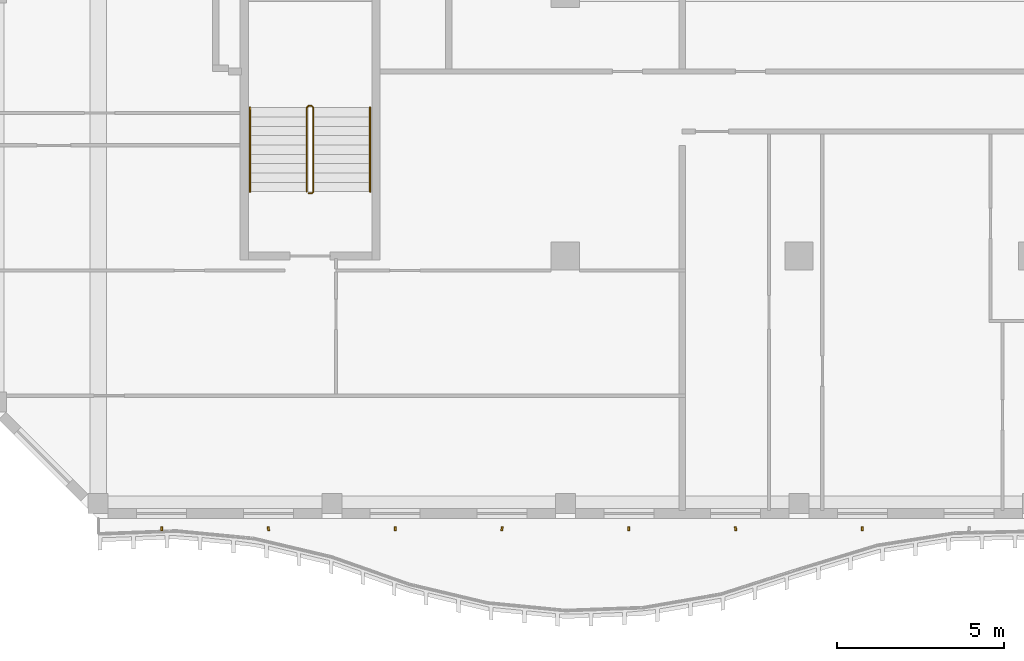
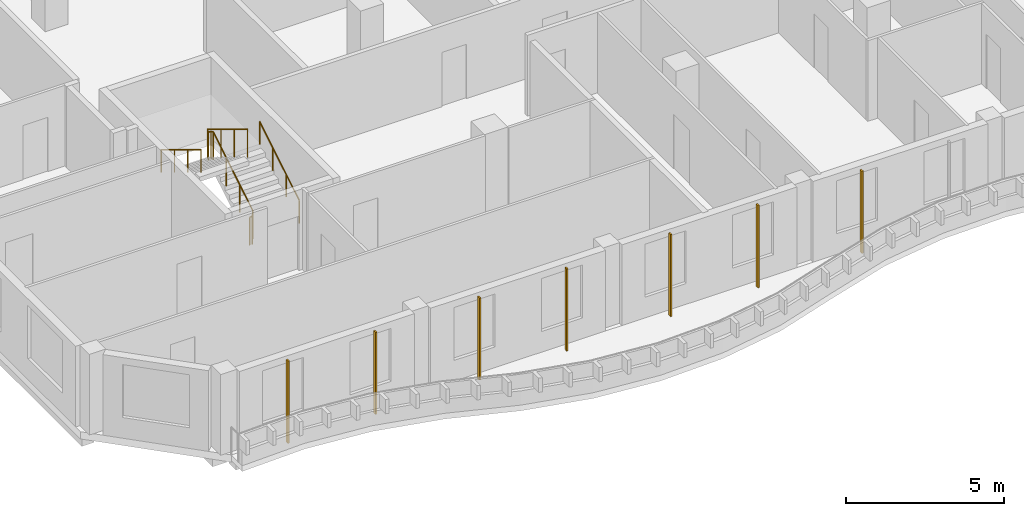
# One storey, part 11 of 18: 7 shading devices, 3 railings.
"""IFC4 building model written with IfcOpenShell, lengths in metres."""

from ifc_helpers import new_model, si_unit, direction, frame, origin, origin_2d, place, context, subcontext, project, spatial, rectangle, circle, extrude, source, transform, mapped, material, material_profile, profile_set, type_object, element, save


model = new_model("IFC4")

# Units and contexts
model_context = context("Model", 3, precision=1e-05, world=origin(), true_north=direction((0.0, 1.0)))
body_context = subcontext(model_context, "Body", "Model", "MODEL_VIEW")
ifc_project = project(units=[si_unit("LENGTHUNIT", "METRE"), si_unit("AREAUNIT", "SQUARE_METRE"), si_unit("VOLUMEUNIT", "CUBIC_METRE"), si_unit("PLANEANGLEUNIT", "RADIAN"), si_unit("MASSUNIT", "GRAM", prefix="KILO")], contexts=[model_context])

# Site, building, storey
site_placement = place(None, origin())
site = spatial("IfcSite", under=ifc_project, at=site_placement, CompositionType="ELEMENT")
building_placement = place(site_placement, origin())
building = spatial("IfcBuilding", under=site, at=building_placement, Name="Kilnfold Tower and Market Hall", CompositionType="ELEMENT")
storey_placement = place(building_placement, frame((0.0, 0.0, 312.0)))
storey = spatial("IfcBuildingStorey", under=building, at=storey_placement, Name="L78", CompositionType="ELEMENT", Elevation=312.0)

# Railings
ifc_material_1 = material(Name="Stainless steel 316", Category="steel")
railing_type_1 = type_object("IfcRailingType", Name="CORE STAIR GUARD 1100", PredefinedType="GUARDRAIL", material=ifc_material_1)
railing_1_placement = place(storey_placement, frame((-15.699951171875, -13.75, 0.0)))
element("IfcRailing", 1, at=railing_1_placement, inside=storey, type_object=railing_type_1, Name="L78 ST3 stair guard 1", PredefinedType="GUARDRAIL", context=body_context, shape_type="SweptSolid", body=[
    extrude(circle(Radius=0.02392578125, at=origin_2d()), frame((0.0, 0.0, 1.076171875), z_axis=(1.0, 0.0, 0.0), x_axis=(0.0, 1.0, 0.0)), (0.0, 0.0, 1.0), 0.099853515625),
    extrude(circle(Radius=0.02392578125, at=origin_2d()), frame((0.099853515625, 0.0, 1.076171875), z_axis=(0.271895245746, 0.271895245746, 0.923117517265), x_axis=(-0.707106781187, 0.707106781187, 0.0)), (0.0, 0.0, 1.0), 0.18408203125),
    extrude(circle(Radius=0.02392578125, at=origin_2d()), frame((0.14990234375, 0.050048828125, 1.24609375), z_axis=(0.0, 0.85478489116, 0.518982456201), x_axis=(-1.0, 0.0, 0.0)), (0.0, 0.0, 1.0), 2.9482421875),
    extrude(circle(Radius=0.02392578125, at=origin_2d()), frame((0.14990234375, 2.570068359375, 2.77587890625), z_axis=(-0.707106781187, 0.707106781187, 0.0), x_axis=(-0.707106781187, -0.707106781187, 0.0)), (0.0, 0.0, 1.0), 0.07080078125),
    extrude(circle(Radius=0.02392578125, at=origin_2d()), frame((0.099853515625, 2.6201171875, 2.77587890625), z_axis=(-1.0, 0.0, 0.0), x_axis=(0.0, -1.0, 0.0)), (0.0, 0.0, 1.0), 0.099853515625),
    extrude(circle(Radius=0.02392578125, at=origin_2d()), frame((0.0, 2.6201171875, 2.77587890625), z_axis=(-0.271562723297, -0.271562723297, 0.923313259209), x_axis=(0.707106781187, -0.707106781187, 0.0)), (0.0, 0.0, 1.0), 0.184326171875),
    extrude(circle(Radius=0.02392578125, at=origin_2d()), frame((-0.050048828125, 2.570068359375, 2.9462890625), z_axis=(0.0, -0.854821627497, 0.518921945155), x_axis=(1.0, 0.0, 0.0)), (0.0, 0.0, 1.0), 2.947998046875),
    extrude(circle(Radius=0.02099609375, at=origin_2d()), origin(), (0.0, 0.0, 1.0), 1.052001953125),
    extrude(circle(Radius=0.02099609375, at=origin_2d()), frame((0.099853515625, 0.0, 0.0)), (0.0, 0.0, 1.0), 1.052001953125),
    extrude(circle(Radius=0.02099609375, at=origin_2d()), frame((0.14990234375, 0.050048828125, 0.169921875)), (0.0, 0.0, 1.0), 1.052001953125),
    extrude(circle(Radius=0.02099609375, at=origin_2d()), frame((0.14990234375, 0.89013671875, 0.679931640625)), (0.0, 0.0, 1.0), 1.052001953125),
    extrude(circle(Radius=0.02099609375, at=origin_2d()), frame((0.14990234375, 1.72998046875, 1.18994140625)), (0.0, 0.0, 1.0), 1.052001953125),
    extrude(circle(Radius=0.02099609375, at=origin_2d()), frame((0.14990234375, 2.570068359375, 1.699951171875)), (0.0, 0.0, 1.0), 1.052001953125),
    extrude(circle(Radius=0.02099609375, at=origin_2d()), frame((0.099853515625, 2.6201171875, 1.699951171875)), (0.0, 0.0, 1.0), 1.052001953125),
    extrude(circle(Radius=0.02099609375, at=origin_2d()), frame((0.0, 2.6201171875, 1.699951171875)), (0.0, 0.0, 1.0), 1.052001953125),
    extrude(circle(Radius=0.02099609375, at=origin_2d()), frame((-0.050048828125, 2.570068359375, 1.8701171875)), (0.0, 0.0, 1.0), 1.052001953125),
    extrude(circle(Radius=0.02099609375, at=origin_2d()), frame((-0.050048828125, 1.72998046875, 2.380126953125)), (0.0, 0.0, 1.0), 1.052001953125),
    extrude(circle(Radius=0.02099609375, at=origin_2d()), frame((-0.050048828125, 0.89013671875, 2.889892578125)), (0.0, 0.0, 1.0), 1.052001953125),
    extrude(circle(Radius=0.02099609375, at=origin_2d()), frame((-0.050048828125, 0.050048828125, 3.39990234375)), (0.0, 0.0, 1.0), 1.052001953125),
])
ifc_material_2 = material(Name="Stainless steel 316", Category="steel")
railing_type_2 = type_object("IfcRailingType", Name="CORE STAIR HANDRAIL 900", PredefinedType="HANDRAIL", material=ifc_material_2)
railing_2_placement = place(storey_placement, frame((-13.85009765625, -13.699951171875, 0.169921875)))
element("IfcRailing", 2, at=railing_2_placement, inside=storey, type_object=railing_type_2, Name="L78 ST3 stair handrail 1", PredefinedType="HANDRAIL", context=body_context, shape_type="SweptSolid", body=[
    extrude(circle(Radius=0.02392578125, at=origin_2d()), frame((0.0, 0.0, 0.8759765625), z_axis=(0.0, 0.85478489116, 0.518982456201), x_axis=(-1.0, 0.0, 0.0)), (0.0, 0.0, 1.0), 2.9482421875),
    extrude(circle(Radius=0.02099609375, at=origin_2d()), origin(), (0.0, 0.0, 1.0), 0.851806640625),
    extrude(circle(Radius=0.02099609375, at=origin_2d()), frame((0.0, 0.840087890625, 0.510009765625)), (0.0, 0.0, 1.0), 0.851806640625),
    extrude(circle(Radius=0.02099609375, at=origin_2d()), frame((0.0, 1.679931640625, 1.02001953125)), (0.0, 0.0, 1.0), 0.851806640625),
    extrude(circle(Radius=0.02099609375, at=origin_2d()), frame((0.0, 2.52001953125, 1.530029296875)), (0.0, 0.0, 1.0), 0.851806640625),
])
railing_3_placement = place(storey_placement, frame((-17.449951171875, -11.179931640625, 1.8701171875)))
element("IfcRailing", 3, at=railing_3_placement, inside=storey, type_object=railing_type_2, Name="L78 ST3 stair handrail 2", PredefinedType="HANDRAIL", context=body_context, shape_type="SweptSolid", body=[
    extrude(circle(Radius=0.02392578125, at=origin_2d()), frame((0.0, 0.0, 0.8759765625), z_axis=(0.0, -0.854821627497, 0.518921945155), x_axis=(1.0, 0.0, 0.0)), (0.0, 0.0, 1.0), 2.947998046875),
    extrude(circle(Radius=0.02099609375, at=origin_2d()), origin(), (0.0, 0.0, 1.0), 0.851806640625),
    extrude(circle(Radius=0.02099609375, at=origin_2d()), frame((0.0, -0.840087890625, 0.510009765625)), (0.0, 0.0, 1.0), 0.851806640625),
    extrude(circle(Radius=0.02099609375, at=origin_2d()), frame((0.0, -1.679931640625, 1.019775390625)), (0.0, 0.0, 1.0), 0.851806640625),
    extrude(circle(Radius=0.02099609375, at=origin_2d()), frame((0.0, -2.52001953125, 1.52978515625)), (0.0, 0.0, 1.0), 0.851806640625),
])

# Shading devices
ifc_material_3 = material(Name="Terracotta", Category="masonry")
ifc_material_profile = material_profile(ifc_material_3, rectangle(XDim=0.06005859375, YDim=0.1201171875, at=origin_2d()), Name="BAG 60x120")
ifc_profile_set = profile_set([ifc_material_profile], Name="Terracotta")
shading_device_type = type_object("IfcShadingDeviceType", Name="BAGUETTE", PredefinedType="USERDEFINED", material=ifc_profile_set)
shared_shape = source(origin(), body_context, "Body", "SweptSolid", [
    extrude(rectangle(XDim=0.06005859375, YDim=0.1201171875, at=origin_2d()), origin(), (0.0, 0.0, 1.0), 3.179931640625),
])
for number, where, z_axis, x_axis, name in (
    (4, (-20.10009765625, -23.800048828125, 0.0), (0.0, 0.0, 1.0), (0.999774796266, -0.021221610499, 0.0), "Terracotta baguette L78 S"),
    (5, (-16.89990234375, -23.800048828125, 0.0), (0.0, 0.0, 1.0), (0.991047860354, 0.133507072804, 0.0), "Terracotta baguette L78 S"),
    (6, (-13.10009765625, -23.800048828125, 0.0), (0.0, 0.0, 1.0), (0.999774796266, 0.021221610499, 0.0), "Terracotta baguette L78 S"),
    (7, (-9.89990234375, -23.800048828125, 0.0), (0.0, 0.0, 1.0), (0.991047860354, -0.133507072804, 0.0), "Terracotta baguette L78 S"),
    (8, (-6.10009765625, -23.800048828125, 0.0), (0.0, 0.0, 1.0), (0.999774796266, -0.021221610499, 0.0), "Terracotta baguette L78 S"),
    (9, (-2.89990234375, -23.800048828125, 0.0), (0.0, 0.0, 1.0), (0.991047860354, 0.133507072804, 0.0), "Terracotta baguette L78 S"),
    (10, (0.89990234375, -23.800048828125, 0.0), (0.0, 0.0, 1.0), (0.999774796266, 0.021221610499, 0.0), "Terracotta baguette L78 S"),
):
    element("IfcShadingDevice", number, at=place(storey_placement, frame(where, z_axis=z_axis, x_axis=x_axis)), inside=storey, type_object=shading_device_type, Name=name, ObjectType="BAGUETTE", PredefinedType="USERDEFINED", context=body_context, shape_type="MappedRepresentation", body=[
        mapped(shared_shape, transform((0.0, 0.0, 0.0))),
    ])

save(model, "model.ifc")
